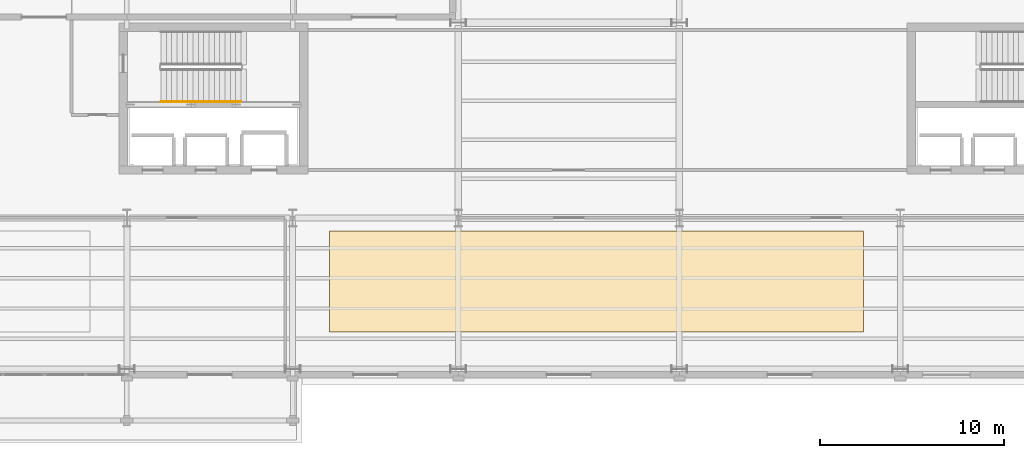
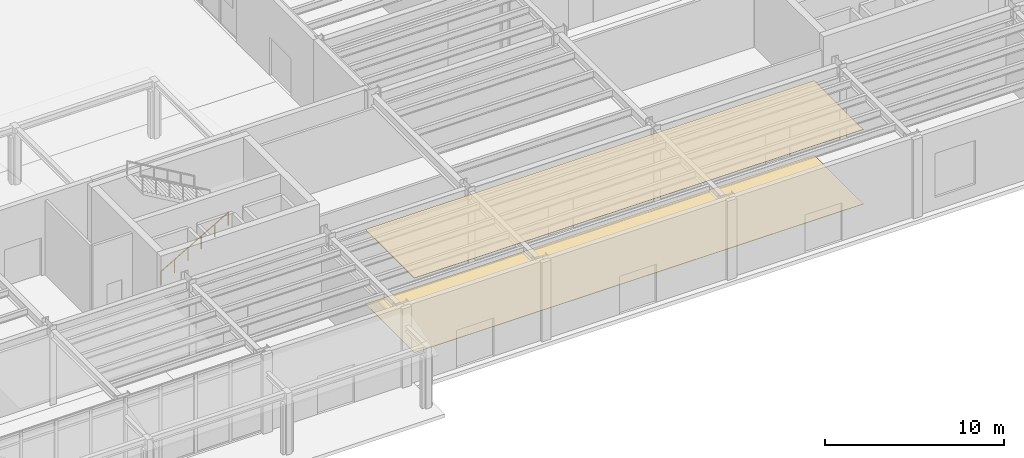
# One storey, part 88 of 94: 2 coverings, 1 railing.
"""IFC4 building model written with IfcOpenShell, lengths in metres."""

from ifc_helpers import new_model, si_unit, direction, frame, origin, origin_2d, place, context, subcontext, project, spatial, polyline, circle, outline, extrude, material, layer, layer_set, type_object, element, save


model = new_model("IFC4")

# Units and contexts
model_context = context("Model", 3, precision=1e-05, world=origin(), true_north=direction((0.0, 1.0)))
body_context = subcontext(model_context, "Body", "Model", "MODEL_VIEW")
ifc_project = project(units=[si_unit("LENGTHUNIT", "METRE"), si_unit("AREAUNIT", "SQUARE_METRE"), si_unit("VOLUMEUNIT", "CUBIC_METRE"), si_unit("PLANEANGLEUNIT", "RADIAN"), si_unit("MASSUNIT", "GRAM", prefix="KILO")], contexts=[model_context])

# Site, building, storey
site_placement = place(None, origin())
site = spatial("IfcSite", under=ifc_project, at=site_placement, CompositionType="ELEMENT")
building_placement = place(site_placement, origin())
building = spatial("IfcBuilding", under=site, at=building_placement, Name="Sollismere Congress Hotel", CompositionType="ELEMENT")
storey_placement = place(building_placement, origin())
storey = spatial("IfcBuildingStorey", under=building, at=storey_placement, Name="L00", CompositionType="ELEMENT", Elevation=0.0)

# Coverings
ifc_material_1 = material(Name="Perforated Acoustic Gypsum Ceiling")
ifc_layer_1 = layer(ifc_material_1, 0.02490234375, Name="Perforated Acoustic Gypsum Ceiling")
ifc_layer_set_1 = layer_set([ifc_layer_1], Name="Perforated Acoustic Gypsum Ceiling")
covering_type_1 = type_object("IfcCoveringType", Name="COV-CEIL", PredefinedType="CEILING", material=ifc_layer_set_1)
covering_1_placement = place(storey_placement, frame((0.0, 0.0, 5.090087890625)))
element("IfcCovering", 1, at=covering_1_placement, inside=storey, type_object=covering_type_1, Name="COV-CLG-05", PredefinedType="CEILING", context=body_context, shape_type="SweptSolid", body=[
    extrude(outline(polyline([(105.0, 2.0), (134.0, 2.0), (134.0, 7.5), (105.0, 7.5), (105.0, 2.0)])), origin(), (0.0, 0.0, 1.0), 0.02490234375),
])
ifc_material_2 = material(Name="Honed Anatolian Travertine Stone Tile", Category="masonry")
ifc_layer_2 = layer(ifc_material_2, 0.030029296875, Name="Honed Anatolian Travertine Stone Tile")
ifc_layer_set_2 = layer_set([ifc_layer_2], Name="Honed Anatolian Travertine Stone Tile")
covering_type_2 = type_object("IfcCoveringType", Name="COV-FLOR", PredefinedType="FLOORING", material=ifc_layer_set_2)
covering_2_placement = place(storey_placement, origin())
element("IfcCovering", 2, at=covering_2_placement, inside=storey, type_object=covering_type_2, Name="COV-FL-05", PredefinedType="FLOORING", context=body_context, shape_type="SweptSolid", body=[
    extrude(outline(polyline([(105.0, 2.0), (134.0, 2.0), (134.0, 7.5), (105.0, 7.5), (105.0, 2.0)])), origin(), (0.0, 0.0, 1.0), 0.030029296875),
])

# Railing
ifc_material_3 = material(Name="Brushed Architectural Bronze")
railing_type = type_object("IfcRailingType", Name="RL-HND90", PredefinedType="HANDRAIL", material=ifc_material_3)
railing_placement = place(storey_placement, frame((95.85009765625, 14.5, 0.3134765625)))
element("IfcRailing", 3, at=railing_placement, inside=storey, type_object=railing_type, Name="RLG-RH-ST-02-L00-1", PredefinedType="HANDRAIL", context=body_context, shape_type="SweptSolid", body=[
    extrude(circle(Radius=0.02392578125, at=origin_2d()), frame((0.0, 0.0, 0.8759765625), z_axis=(0.864311530196, 0.0, 0.502956835891), x_axis=(0.0, 1.0, 0.0)), (0.0, 0.0, 1.0), 5.03271484375),
    extrude(circle(Radius=0.02099609375, at=origin_2d()), origin(), (0.0, 0.0, 1.0), 0.851806640625),
    extrude(circle(Radius=0.02099609375, at=origin_2d()), frame((0.869873046875, 0.0, 0.50634765625)), (0.0, 0.0, 1.0), 0.851806640625),
    extrude(circle(Radius=0.02099609375, at=origin_2d()), frame((1.739990234375, 0.0, 1.012451171875)), (0.0, 0.0, 1.0), 0.851806640625),
    extrude(circle(Radius=0.02099609375, at=origin_2d()), frame((2.60986328125, 0.0, 1.518798828125)), (0.0, 0.0, 1.0), 0.851806640625),
    extrude(circle(Radius=0.02099609375, at=origin_2d()), frame((3.47998046875, 0.0, 2.02490234375)), (0.0, 0.0, 1.0), 0.851806640625),
    extrude(circle(Radius=0.02099609375, at=origin_2d()), frame((4.349853515625, 0.0, 2.53125)), (0.0, 0.0, 1.0), 0.851806640625),
])

save(model, "model.ifc")
